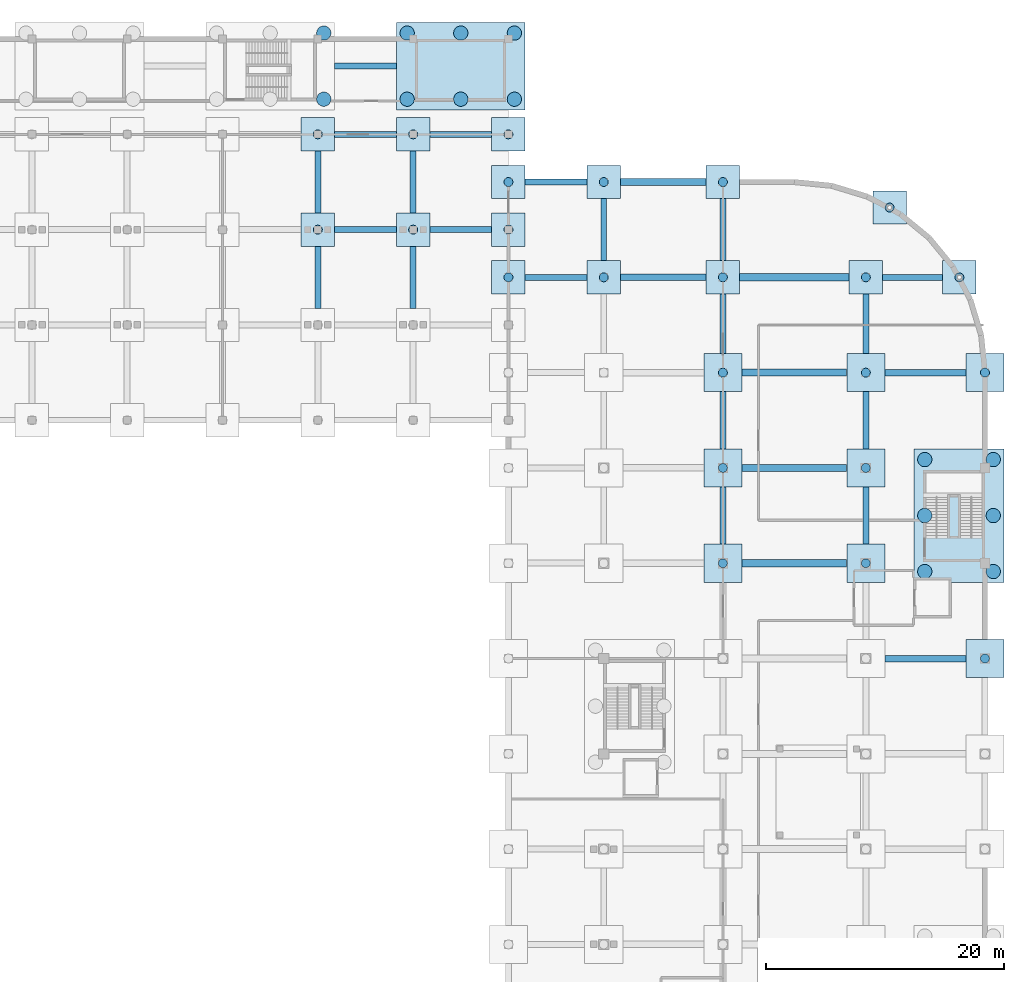
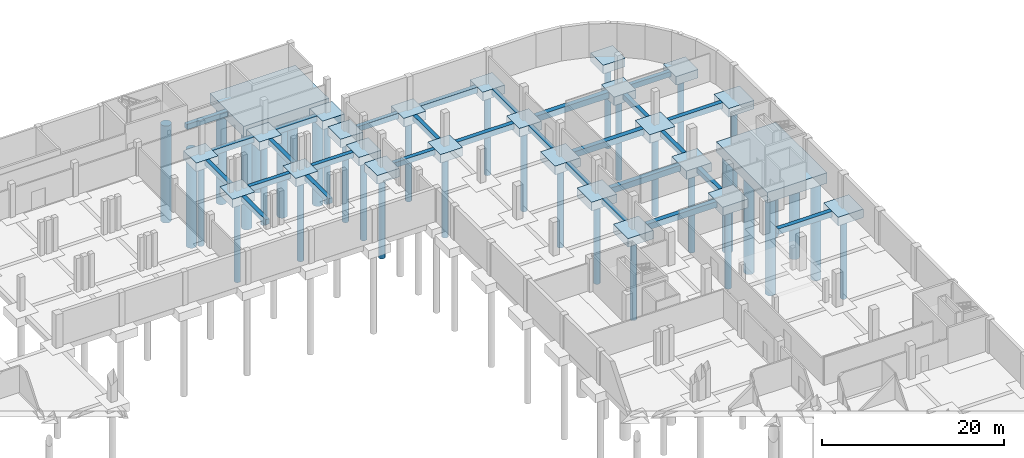
# One storey, part 4 of 29: 53 footings, 37 piles.
"""IFC4 building model written with IfcOpenShell, lengths in metres."""

from ifc_helpers import new_model, si_unit, direction, frame, origin, origin_2d, place, context, subcontext, project, spatial, rectangle, circle, extrude, material, material_profile, profile_set, type_object, element, save


model = new_model("IFC4")

# Units and contexts
model_context = context("Model", 3, precision=1e-05, world=origin(), true_north=direction((0.0, 1.0)))
body_context = subcontext(model_context, "Body", "Model", "MODEL_VIEW")
ifc_project = project(units=[si_unit("LENGTHUNIT", "METRE"), si_unit("AREAUNIT", "SQUARE_METRE"), si_unit("VOLUMEUNIT", "CUBIC_METRE"), si_unit("PLANEANGLEUNIT", "RADIAN"), si_unit("MASSUNIT", "GRAM", prefix="KILO")], contexts=[model_context])

# Site, building, storey
site_placement = place(None, origin())
site = spatial("IfcSite", under=ifc_project, at=site_placement, CompositionType="ELEMENT")
building_placement = place(site_placement, origin())
building = spatial("IfcBuilding", under=site, at=building_placement, Name="Drelvana Railside Aquatics Centre", CompositionType="ELEMENT")
storey_placement = place(building_placement, frame((0.0, 0.0, -4.800048828125)))
storey = spatial("IfcBuildingStorey", under=building, at=storey_placement, Name="B1", CompositionType="ELEMENT", Elevation=-4.800048828125)

# Footings
ifc_material = material(Name="Concrete C35/45", Category="concrete")
ifc_material_profile_1 = material_profile(ifc_material, rectangle(XDim=0.5, YDim=0.699951171875, at=origin_2d()), Name="GB 500x700")
ifc_profile_set_1 = profile_set([ifc_material_profile_1], Name="Concrete C35/45")
footing_type_1 = type_object("IfcFootingType", Name="STR-GB-500x700", PredefinedType="FOOTING_BEAM", material=ifc_profile_set_1)
for number, where, z_axis, x_axis, name in (
    (1, (162.0, 73.60009765625, -0.349853515625), (0.0, 1.0, 0.0), (-1.0, 0.0, 0.0), "Foundation tie beam GB-123"),
    (2, (174.0, 73.60009765625, -0.349853515625), (0.0, 1.0, 0.0), (-1.0, 0.0, 0.0), "Foundation tie beam GB-124"),
    (3, (162.0, 81.60009765625, -0.349853515625), (0.0, 1.0, 0.0), (-1.0, 0.0, 0.0), "Foundation tie beam GB-153"),
    (4, (174.0, 81.60009765625, -0.349853515625), (0.0, 1.0, 0.0), (-1.0, 0.0, 0.0), "Foundation tie beam GB-154"),
):
    element("IfcFooting", number, at=place(storey_placement, frame(where, z_axis=z_axis, x_axis=x_axis)), inside=storey, type_object=footing_type_1, Name=name, PredefinedType="FOOTING_BEAM", context=body_context, shape_type="SweptSolid", body=[
        extrude(rectangle(XDim=0.5, YDim=0.699951171875, at=origin_2d()), origin(), (0.0, 0.0, 1.0), 4.7998046875),
    ])
for number, where, z_axis, x_axis, name in (
    (5, (162.0, 89.60009765625, -0.349853515625), (0.0, 1.0, 0.0), (-1.0, 0.0, 0.0), "Foundation tie beam GB-183"),
    (6, (174.0, 89.60009765625, -0.349853515625), (0.0, 1.0, 0.0), (-1.0, 0.0, 0.0), "Foundation tie beam GB-185"),
):
    element("IfcFooting", number, at=place(storey_placement, frame(where, z_axis=z_axis, x_axis=x_axis)), inside=storey, type_object=footing_type_1, Name=name, PredefinedType="FOOTING_BEAM", context=body_context, shape_type="SweptSolid", body=[
        extrude(rectangle(XDim=0.5, YDim=0.699951171875, at=origin_2d()), origin(), (0.0, 0.0, 1.0), 5.0),
    ])
for number, where, z_axis, x_axis, name in (
    (7, (128.0, 93.39990234375, -0.349853515625), (0.0, 1.0, 0.0), (-1.0, 0.0, 0.0), "Foundation tie beam GB-198"),
    (8, (136.0, 93.39990234375, -0.349853515625), (0.0, 1.0, 0.0), (-1.0, 0.0, 0.0), "Foundation tie beam GB-200"),
    (9, (145.39990234375, 96.0, -0.349853515625), (1.0, 0.0, 0.0), (0.0, 1.0, 0.0), "Foundation tie beam GB-201"),
    (10, (152.0, 97.39990234375, -0.349853515625), (0.0, 1.0, 0.0), (-1.0, 0.0, 0.0), "Foundation tie beam GB-203"),
    (11, (162.0, 97.39990234375, -0.349853515625), (0.0, 1.0, 0.0), (-1.0, 0.0, 0.0), "Foundation tie beam GB-205"),
):
    element("IfcFooting", number, at=place(storey_placement, frame(where, z_axis=z_axis, x_axis=x_axis)), inside=storey, type_object=footing_type_1, Name=name, PredefinedType="FOOTING_BEAM", context=body_context, shape_type="SweptSolid", body=[
        extrude(rectangle(XDim=0.5, YDim=0.699951171875, at=origin_2d()), origin(), (0.0, 0.0, 1.0), 5.2001953125),
    ])
footing_1_placement = place(storey_placement, frame((175.39990234375, 96.0, -0.349853515625), z_axis=(1.0, 0.0, 0.0), x_axis=(0.0, 1.0, 0.0)))
element("IfcFooting", 12, at=footing_1_placement, inside=storey, type_object=footing_type_1, Name="Foundation tie beam GB-206", PredefinedType="FOOTING_BEAM", context=body_context, shape_type="SweptSolid", body=[
    extrude(rectangle(XDim=0.5, YDim=0.699951171875, at=origin_2d()), origin(), (0.0, 0.0, 1.0), 5.05615234375),
])
for number, where, z_axis, x_axis, name in (
    (13, (129.39990234375, 100.0, -0.349853515625), (1.0, 0.0, 0.0), (0.0, 1.0, 0.0), "Foundation tie beam GB-218"),
    (14, (128.0, 101.39990234375, -0.349853515625), (0.0, 1.0, 0.0), (-1.0, 0.0, 0.0), "Foundation tie beam GB-219"),
    (15, (137.39990234375, 100.0, -0.349853515625), (1.0, 0.0, 0.0), (0.0, 1.0, 0.0), "Foundation tie beam GB-220"),
    (16, (136.0, 101.39990234375, -0.349853515625), (0.0, 1.0, 0.0), (-1.0, 0.0, 0.0), "Foundation tie beam GB-221"),
    (17, (145.39990234375, 104.0, -0.349853515625), (1.0, 0.0, 0.0), (0.0, 1.0, 0.0), "Foundation tie beam GB-222"),
    (18, (129.39990234375, 108.0, -0.349853515625), (1.0, 0.0, 0.0), (0.0, 1.0, 0.0), "Foundation tie beam GB-230"),
    (19, (137.39990234375, 108.0, -0.349853515625), (1.0, 0.0, 0.0), (0.0, 1.0, 0.0), "Foundation tie beam GB-231"),
    (20, (129.39990234375, 113.72509765625, -0.349853515625), (1.0, 0.0, 0.0), (0.0, 1.0, 0.0), "Foundation tie beam GB-233"),
):
    element("IfcFooting", number, at=place(storey_placement, frame(where, z_axis=z_axis, x_axis=x_axis)), inside=storey, type_object=footing_type_1, Name=name, PredefinedType="FOOTING_BEAM", context=body_context, shape_type="SweptSolid", body=[
        extrude(rectangle(XDim=0.5, YDim=0.699951171875, at=origin_2d()), origin(), (0.0, 0.0, 1.0), 5.2001953125),
    ])
ifc_material_profile_2 = material_profile(ifc_material, rectangle(XDim=0.550048828125, YDim=0.75, at=origin_2d()), Name="GB 550x750")
ifc_profile_set_2 = profile_set([ifc_material_profile_2], Name="Concrete C35/45")
footing_type_2 = type_object("IfcFootingType", Name="STR-GB-550x750", PredefinedType="FOOTING_BEAM", material=ifc_profile_set_2)
for number, where, z_axis, x_axis, name in (
    (21, (175.60009765625, 64.0, -0.375), (1.0, 0.0, 0.0), (0.0, 1.0, 0.0), "Foundation tie beam GB-115"),
    (22, (175.60009765625, 88.0, -0.375), (1.0, 0.0, 0.0), (0.0, 1.0, 0.0), "Foundation tie beam GB-184"),
):
    element("IfcFooting", number, at=place(storey_placement, frame(where, z_axis=z_axis, x_axis=x_axis)), inside=storey, type_object=footing_type_2, Name=name, PredefinedType="FOOTING_BEAM", context=body_context, shape_type="SweptSolid", body=[
        extrude(rectangle(XDim=0.550048828125, YDim=0.75, at=origin_2d()), origin(), (0.0, 0.0, 1.0), 6.7998046875),
    ])
for number, where, z_axis, x_axis, name in (
    (23, (153.39990234375, 96.0, -0.375), (1.0, 0.0, 0.0), (0.0, 1.0, 0.0), "Foundation tie beam GB-202"),
    (24, (153.39990234375, 104.0, -0.375), (1.0, 0.0, 0.0), (0.0, 1.0, 0.0), "Foundation tie beam GB-223"),
):
    element("IfcFooting", number, at=place(storey_placement, frame(where, z_axis=z_axis, x_axis=x_axis)), inside=storey, type_object=footing_type_2, Name=name, PredefinedType="FOOTING_BEAM", context=body_context, shape_type="SweptSolid", body=[
        extrude(rectangle(XDim=0.550048828125, YDim=0.75, at=origin_2d()), origin(), (0.0, 0.0, 1.0), 7.2001953125),
    ])
ifc_material_profile_3 = material_profile(ifc_material, rectangle(XDim=0.60009765625, YDim=0.800048828125, at=origin_2d()), Name="GB 600x800")
ifc_profile_set_3 = profile_set([ifc_material_profile_3], Name="Concrete C35/45")
footing_type_3 = type_object("IfcFootingType", Name="STR-GB-600x800", PredefinedType="FOOTING_BEAM", material=ifc_profile_set_3)
for number, where, z_axis, x_axis, name in (
    (25, (163.60009765625, 72.0, -0.39990234375), (1.0, 0.0, 0.0), (0.0, 1.0, 0.0), "Foundation tie beam GB-122"),
    (26, (163.60009765625, 80.0, -0.39990234375), (1.0, 0.0, 0.0), (0.0, 1.0, 0.0), "Foundation tie beam GB-152"),
    (27, (163.60009765625, 88.0, -0.39990234375), (1.0, 0.0, 0.0), (0.0, 1.0, 0.0), "Foundation tie beam GB-182"),
):
    element("IfcFooting", number, at=place(storey_placement, frame(where, z_axis=z_axis, x_axis=x_axis)), inside=storey, type_object=footing_type_3, Name=name, PredefinedType="FOOTING_BEAM", context=body_context, shape_type="SweptSolid", body=[
        extrude(rectangle(XDim=0.60009765625, YDim=0.800048828125, at=origin_2d()), origin(), (0.0, 0.0, 1.0), 8.7998046875),
    ])
footing_2_placement = place(storey_placement, frame((163.39990234375, 96.0, -0.39990234375), z_axis=(1.0, 0.0, 0.0), x_axis=(0.0, 1.0, 0.0)))
element("IfcFooting", 28, at=footing_2_placement, inside=storey, type_object=footing_type_3, Name="Foundation tie beam GB-204", PredefinedType="FOOTING_BEAM", context=body_context, shape_type="SweptSolid", body=[
    extrude(rectangle(XDim=0.60009765625, YDim=0.800048828125, at=origin_2d()), origin(), (0.0, 0.0, 1.0), 9.2001953125),
])
footing_type_4 = type_object("IfcFootingType", Name="STR-PC-10800x7350x1400", PredefinedType="PILE_CAP", material=ifc_material)
footing_3_placement = place(storey_placement, frame((140.0, 113.72509765625, -1.39990234375), z_axis=(0.0, 0.0, 1.0), x_axis=(1.0, 0.0, 0.0)))
element("IfcFooting", 29, at=footing_3_placement, inside=storey, type_object=footing_type_4, Name="Combined pile cap PC-190", PredefinedType="PILE_CAP", context=body_context, shape_type="SweptSolid", body=[
    extrude(rectangle(XDim=10.800048828125, YDim=7.35009765625, at=origin_2d()), origin(), (0.0, 0.0, 1.0), 1.39990234375),
])
footing_type_5 = type_object("IfcFootingType", Name="STR-PC-2800x2800x1150", PredefinedType="PILE_CAP", material=ifc_material)
for number, where, z_axis, x_axis, name in (
    (30, (144.0, 96.0, -1.14990234375), (0.0, 0.0, 1.0), (1.0, 0.0, 0.0), "Combined pile cap PC-160"),
    (31, (152.0, 96.0, -1.14990234375), (0.0, 0.0, 1.0), (1.0, 0.0, 0.0), "Combined pile cap PC-161"),
    (32, (162.0, 96.0, -1.14990234375), (0.0, 0.0, 1.0), (1.0, 0.0, 0.0), "Combined pile cap PC-162"),
    (33, (174.0, 96.0, -1.14990234375), (0.0, 0.0, 1.0), (1.0, 0.0, 0.0), "Combined pile cap PC-163"),
    (34, (181.85595703125, 96.0, -1.14990234375), (0.0, 0.0, 1.0), (1.0, 0.0, 0.0), "Combined pile cap PC-164"),
    (35, (128.0, 100.0, -1.14990234375), (0.0, 0.0, 1.0), (1.0, 0.0, 0.0), "Combined pile cap PC-171"),
    (36, (136.0, 100.0, -1.14990234375), (0.0, 0.0, 1.0), (1.0, 0.0, 0.0), "Combined pile cap PC-172"),
    (37, (144.0, 100.0, -1.14990234375), (0.0, 0.0, 1.0), (1.0, 0.0, 0.0), "Combined pile cap PC-173"),
    (38, (176.0, 101.85595703125, -1.14990234375), (0.0, 0.0, 1.0), (1.0, 0.0, 0.0), "Combined pile cap PC-174"),
    (39, (144.0, 104.0, -1.14990234375), (0.0, 0.0, 1.0), (1.0, 0.0, 0.0), "Combined pile cap PC-175"),
    (40, (152.0, 104.0, -1.14990234375), (0.0, 0.0, 1.0), (1.0, 0.0, 0.0), "Combined pile cap PC-176"),
    (41, (162.0, 104.0, -1.14990234375), (0.0, 0.0, 1.0), (1.0, 0.0, 0.0), "Combined pile cap PC-177"),
    (42, (128.0, 108.0, -1.14990234375), (0.0, 0.0, 1.0), (1.0, 0.0, 0.0), "Combined pile cap PC-184"),
    (43, (136.0, 108.0, -1.14990234375), (0.0, 0.0, 1.0), (1.0, 0.0, 0.0), "Combined pile cap PC-185"),
    (44, (144.0, 108.0, -1.14990234375), (0.0, 0.0, 1.0), (1.0, 0.0, 0.0), "Combined pile cap PC-186"),
):
    element("IfcFooting", number, at=place(storey_placement, frame(where, z_axis=z_axis, x_axis=x_axis)), inside=storey, type_object=footing_type_5, Name=name, PredefinedType="PILE_CAP", context=body_context, shape_type="SweptSolid", body=[
        extrude(rectangle(XDim=2.800048828125, YDim=2.800048828125, at=origin_2d()), origin(), (0.0, 0.0, 1.0), 1.14990234375),
    ])
footing_type_6 = type_object("IfcFootingType", Name="STR-PC-3200x3200x1150", PredefinedType="PILE_CAP", material=ifc_material)
for number, where, z_axis, x_axis, name in (
    (45, (184.0, 64.0, -1.14990234375), (0.0, 0.0, 1.0), (1.0, 0.0, 0.0), "Combined pile cap PC-101"),
    (46, (162.0, 72.0, -1.14990234375), (0.0, 0.0, 1.0), (1.0, 0.0, 0.0), "Combined pile cap PC-106"),
    (47, (174.0, 72.0, -1.14990234375), (0.0, 0.0, 1.0), (1.0, 0.0, 0.0), "Combined pile cap PC-107"),
    (48, (162.0, 80.0, -1.14990234375), (0.0, 0.0, 1.0), (1.0, 0.0, 0.0), "Combined pile cap PC-125"),
    (49, (174.0, 80.0, -1.14990234375), (0.0, 0.0, 1.0), (1.0, 0.0, 0.0), "Combined pile cap PC-126"),
    (50, (162.0, 88.0, -1.14990234375), (0.0, 0.0, 1.0), (1.0, 0.0, 0.0), "Combined pile cap PC-147"),
    (51, (174.0, 88.0, -1.14990234375), (0.0, 0.0, 1.0), (1.0, 0.0, 0.0), "Combined pile cap PC-148"),
    (52, (184.0, 88.0, -1.14990234375), (0.0, 0.0, 1.0), (1.0, 0.0, 0.0), "Combined pile cap PC-149"),
):
    element("IfcFooting", number, at=place(storey_placement, frame(where, z_axis=z_axis, x_axis=x_axis)), inside=storey, type_object=footing_type_6, Name=name, PredefinedType="PILE_CAP", context=body_context, shape_type="SweptSolid", body=[
        extrude(rectangle(XDim=3.199951171875, YDim=3.199951171875, at=origin_2d()), origin(), (0.0, 0.0, 1.0), 1.14990234375),
    ])
footing_type_7 = type_object("IfcFootingType", Name="STR-PC-7550x11200x1400", PredefinedType="PILE_CAP", material=ifc_material)
footing_4_placement = place(storey_placement, frame((181.824951171875, 76.0, -1.39990234375), z_axis=(0.0, 0.0, 1.0), x_axis=(1.0, 0.0, 0.0)))
element("IfcFooting", 53, at=footing_4_placement, inside=storey, type_object=footing_type_7, Name="Combined pile cap PC-108", PredefinedType="PILE_CAP", context=body_context, shape_type="SweptSolid", body=[
    extrude(rectangle(XDim=7.550048828125, YDim=11.199951171875, at=origin_2d()), origin(), (0.0, 0.0, 1.0), 1.39990234375),
])

# Piles
ifc_material_profile_4 = material_profile(ifc_material, circle(Radius=0.60009765625, at=origin_2d()), Name="PILE D1200")
ifc_profile_set_4 = profile_set([ifc_material_profile_4], Name="Concrete C35/45")
pile_type_1 = type_object("IfcPileType", Name="STR-PILE-1200", PredefinedType="BORED", material=ifc_profile_set_4)
for number, where, z_axis, x_axis, name in (
    (54, (178.949951171875, 71.300048828125, -1.300048828125), (0.0, 0.0, -1.0), (1.0, 0.0, 0.0), "Bored pile PL-108-01"),
    (55, (178.949951171875, 76.0, -1.300048828125), (0.0, 0.0, -1.0), (1.0, 0.0, 0.0), "Bored pile PL-108-02"),
    (56, (178.949951171875, 80.699951171875, -1.300048828125), (0.0, 0.0, -1.0), (1.0, 0.0, 0.0), "Bored pile PL-108-03"),
    (57, (184.699951171875, 71.300048828125, -1.300048828125), (0.0, 0.0, -1.0), (1.0, 0.0, 0.0), "Bored pile PL-108-04"),
    (58, (184.699951171875, 76.0, -1.300048828125), (0.0, 0.0, -1.0), (1.0, 0.0, 0.0), "Bored pile PL-108-05"),
    (59, (184.699951171875, 80.699951171875, -1.300048828125), (0.0, 0.0, -1.0), (1.0, 0.0, 0.0), "Bored pile PL-108-06"),
    (60, (128.5, 110.949951171875, -1.300048828125), (0.0, 0.0, -1.0), (1.0, 0.0, 0.0), "Bored pile PL-189-05"),
    (61, (128.5, 116.5, -1.300048828125), (0.0, 0.0, -1.0), (1.0, 0.0, 0.0), "Bored pile PL-189-06"),
    (62, (135.5, 110.949951171875, -1.300048828125), (0.0, 0.0, -1.0), (1.0, 0.0, 0.0), "Bored pile PL-190-01"),
    (63, (135.5, 116.5, -1.300048828125), (0.0, 0.0, -1.0), (1.0, 0.0, 0.0), "Bored pile PL-190-02"),
    (64, (140.0, 110.949951171875, -1.300048828125), (0.0, 0.0, -1.0), (1.0, 0.0, 0.0), "Bored pile PL-190-03"),
    (65, (140.0, 116.5, -1.300048828125), (0.0, 0.0, -1.0), (1.0, 0.0, 0.0), "Bored pile PL-190-04"),
    (66, (144.5, 110.949951171875, -1.300048828125), (0.0, 0.0, -1.0), (1.0, 0.0, 0.0), "Bored pile PL-190-05"),
    (67, (144.5, 116.5, -1.300048828125), (0.0, 0.0, -1.0), (1.0, 0.0, 0.0), "Bored pile PL-190-06"),
):
    element("IfcPile", number, at=place(storey_placement, frame(where, z_axis=z_axis, x_axis=x_axis)), inside=storey, type_object=pile_type_1, Name=name, PredefinedType="BORED", context=body_context, shape_type="SweptSolid", body=[
        extrude(circle(Radius=0.60009765625, at=origin_2d()), origin(), (0.0, 0.0, 1.0), 13.0),
    ])
ifc_material_profile_5 = material_profile(ifc_material, circle(Radius=0.375, at=origin_2d()), Name="PILE D750")
ifc_profile_set_5 = profile_set([ifc_material_profile_5], Name="Concrete C35/45")
pile_type_2 = type_object("IfcPileType", Name="STR-PILE-750", PredefinedType="BORED", material=ifc_profile_set_5)
for number, where, z_axis, x_axis, name in (
    (68, (184.0, 64.0, -1.050048828125), (0.0, 0.0, -1.0), (1.0, 0.0, 0.0), "Bored pile PL-101-01"),
    (69, (162.0, 72.0, -1.050048828125), (0.0, 0.0, -1.0), (1.0, 0.0, 0.0), "Bored pile PL-106-01"),
    (70, (174.0, 72.0, -1.050048828125), (0.0, 0.0, -1.0), (1.0, 0.0, 0.0), "Bored pile PL-107-01"),
    (71, (162.0, 80.0, -1.050048828125), (0.0, 0.0, -1.0), (1.0, 0.0, 0.0), "Bored pile PL-125-01"),
    (72, (174.0, 80.0, -1.050048828125), (0.0, 0.0, -1.0), (1.0, 0.0, 0.0), "Bored pile PL-126-01"),
    (73, (162.0, 88.0, -1.050048828125), (0.0, 0.0, -1.0), (1.0, 0.0, 0.0), "Bored pile PL-147-01"),
    (74, (174.0, 88.0, -1.050048828125), (0.0, 0.0, -1.0), (1.0, 0.0, 0.0), "Bored pile PL-148-01"),
    (75, (184.0, 88.0, -1.050048828125), (0.0, 0.0, -1.0), (1.0, 0.0, 0.0), "Bored pile PL-149-01"),
    (76, (144.0, 96.0, -1.050048828125), (0.0, 0.0, -1.0), (1.0, 0.0, 0.0), "Bored pile PL-160-01"),
    (77, (152.0, 96.0, -1.050048828125), (0.0, 0.0, -1.0), (1.0, 0.0, 0.0), "Bored pile PL-161-01"),
    (78, (162.0, 96.0, -1.050048828125), (0.0, 0.0, -1.0), (1.0, 0.0, 0.0), "Bored pile PL-162-01"),
    (79, (174.0, 96.0, -1.050048828125), (0.0, 0.0, -1.0), (1.0, 0.0, 0.0), "Bored pile PL-163-01"),
    (80, (181.85595703125, 96.0, -1.050048828125), (0.0, 0.0, -1.0), (1.0, 0.0, 0.0), "Bored pile PL-164-01"),
    (81, (128.0, 100.0, -1.050048828125), (0.0, 0.0, -1.0), (1.0, 0.0, 0.0), "Bored pile PL-171-01"),
    (82, (136.0, 100.0, -1.050048828125), (0.0, 0.0, -1.0), (1.0, 0.0, 0.0), "Bored pile PL-172-01"),
    (83, (144.0, 100.0, -1.050048828125), (0.0, 0.0, -1.0), (1.0, 0.0, 0.0), "Bored pile PL-173-01"),
    (84, (176.0, 101.85595703125, -1.050048828125), (0.0, 0.0, -1.0), (1.0, 0.0, 0.0), "Bored pile PL-174-01"),
    (85, (144.0, 104.0, -1.050048828125), (0.0, 0.0, -1.0), (1.0, 0.0, 0.0), "Bored pile PL-175-01"),
    (86, (152.0, 104.0, -1.050048828125), (0.0, 0.0, -1.0), (1.0, 0.0, 0.0), "Bored pile PL-176-01"),
    (87, (162.0, 104.0, -1.050048828125), (0.0, 0.0, -1.0), (1.0, 0.0, 0.0), "Bored pile PL-177-01"),
    (88, (128.0, 108.0, -1.050048828125), (0.0, 0.0, -1.0), (1.0, 0.0, 0.0), "Bored pile PL-184-01"),
    (89, (136.0, 108.0, -1.050048828125), (0.0, 0.0, -1.0), (1.0, 0.0, 0.0), "Bored pile PL-185-01"),
    (90, (144.0, 108.0, -1.050048828125), (0.0, 0.0, -1.0), (1.0, 0.0, 0.0), "Bored pile PL-186-01"),
):
    element("IfcPile", number, at=place(storey_placement, frame(where, z_axis=z_axis, x_axis=x_axis)), inside=storey, type_object=pile_type_2, Name=name, PredefinedType="BORED", context=body_context, shape_type="SweptSolid", body=[
        extrude(circle(Radius=0.375, at=origin_2d()), origin(), (0.0, 0.0, 1.0), 11.199951171875),
    ])

save(model, "model.ifc")
